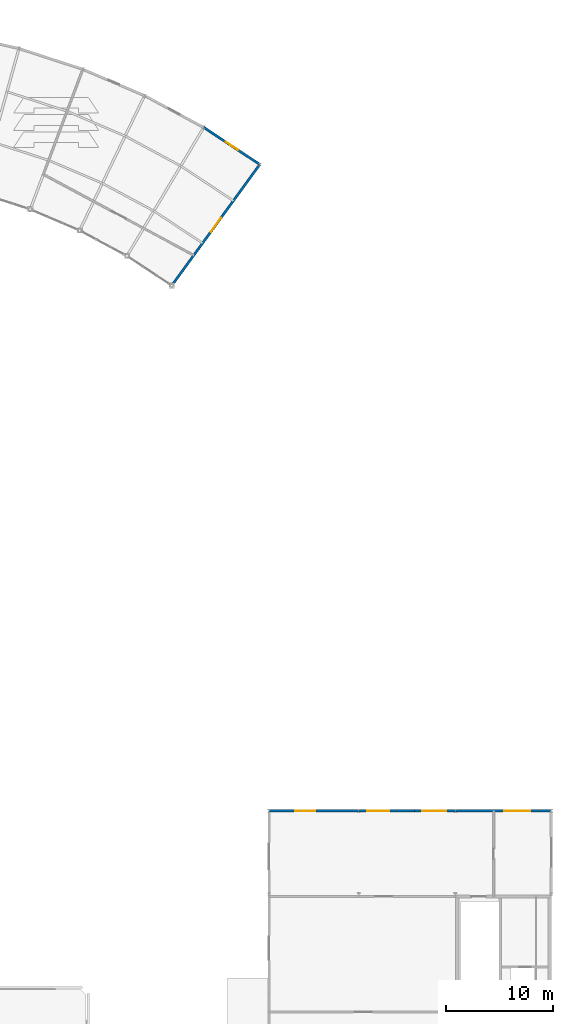
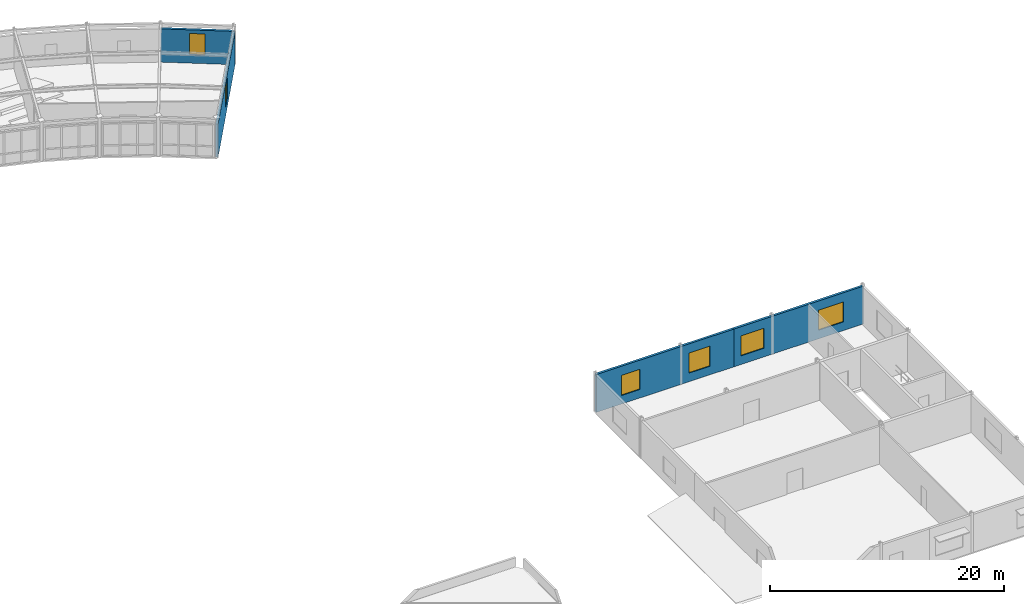
# One storey, part 43 of 54: 6 windows, 4 walls, 6 openings.
"""IFC4 building model written with IfcOpenShell, lengths in metres."""

from ifc_helpers import new_model, si_unit, direction, frame, frame_2d, origin, place, context, subcontext, project, spatial, rectangle, extrude, material, layer, layer_set, type_object, element, fill, save


model = new_model("IFC4")

# Units and contexts
model_context = context("Model", 3, precision=1e-05, world=origin(), true_north=direction((0.0, 1.0)))
body_context = subcontext(model_context, "Body", "Model", "MODEL_VIEW")
ifc_project = project(units=[si_unit("LENGTHUNIT", "METRE"), si_unit("AREAUNIT", "SQUARE_METRE"), si_unit("VOLUMEUNIT", "CUBIC_METRE"), si_unit("PLANEANGLEUNIT", "RADIAN"), si_unit("MASSUNIT", "GRAM", prefix="KILO")], contexts=[model_context])

# Site, building, storey
site_placement = place(None, origin())
site = spatial("IfcSite", under=ifc_project, at=site_placement, CompositionType="ELEMENT")
building_placement = place(site_placement, origin())
building = spatial("IfcBuilding", under=site, at=building_placement, Name="Selat Folded Stagehouse", CompositionType="ELEMENT")
storey_placement = place(building_placement, frame((0.0, 0.0, 15.0)))
storey = spatial("IfcBuildingStorey", under=building, at=storey_placement, Name="L03", CompositionType="ELEMENT", Elevation=15.0)

# Wall, openings, windows
ifc_material_1 = material(Name="Precast concrete C40/50", Category="concrete")
ifc_layer = layer(ifc_material_1, 0.22998046875)
ifc_layer_set = layer_set([ifc_layer], Name="Precast concrete C40/50")
wall_type = type_object("IfcWallType", Name="WAL-EXT-230", PredefinedType="STANDARD", material=ifc_layer_set)
wall_1_placement = place(storey_placement, frame((134.39990234375, 34.199951171875, 0.0), z_axis=(0.0, 0.0, 1.0), x_axis=(1.0, 0.0, 0.0)))
wall_1 = element("IfcWall", 1, at=wall_1_placement, inside=storey, type_object=wall_type, Name="L03 exterior facade wall EW-L03-V3N-1", PredefinedType="STANDARD", context=body_context, shape_type="SweptSolid", body=[
    extrude(rectangle(XDim=13.60009765625, YDim=0.22998046875, at=frame_2d((6.800048828125, 0.0))), origin(), (0.0, 0.0, 1.0), 3.951904296875),
])
opening_1_placement = place(wall_1_placement, frame((2.47509765625, 0.0, 0.89990234375)))
opening_1 = element("IfcOpeningElement", 2, at=opening_1_placement, cuts=wall_1, Name="Opening WN-20", PredefinedType="OPENING", context=body_context, shape_type="SweptSolid", body=[
    extrude(rectangle(XDim=1.85009765625, YDim=2.10009765625, at=frame_2d((0.925048828125, 1.050048828125))), frame((0.0, 0.125, 0.0), z_axis=(0.0, -1.0, 0.0), x_axis=(1.0, 0.0, 0.0)), (0.0, 0.0, 1.0), 0.25),
])
opening_2_placement = place(wall_1_placement, frame((9.175048828125, 0.0, 0.89990234375)))
opening_2 = element("IfcOpeningElement", 3, at=opening_2_placement, cuts=wall_1, Name="Opening WN-19", PredefinedType="OPENING", context=body_context, shape_type="SweptSolid", body=[
    extrude(rectangle(XDim=2.050048828125, YDim=2.10009765625, at=frame_2d((1.02490234375, 1.050048828125))), frame((0.0, 0.125, 0.0), z_axis=(0.0, -1.0, 0.0), x_axis=(1.0, 0.0, 0.0)), (0.0, 0.0, 1.0), 0.25),
])
ifc_material_2 = material(Name="Thermally broken aluminium and acoustic low-E glass", Category="aluminium")
window_type_1 = type_object("IfcWindowType", Name="WIN-RH-1850x2100", PartitioningType="SINGLE_PANEL", PredefinedType="WINDOW", material=ifc_material_2)
window_1_placement = place(opening_1_placement, origin())
window_1 = element("IfcWindow", 4, at=window_1_placement, inside=storey, type_object=window_type_1, Name="L03 exterior window EW-L03-V3N-1-1", OverallHeight=2.10009765625, OverallWidth=1.85009765625, PartitioningType="SINGLE_PANEL", PredefinedType="WINDOW", context=body_context, shape_type="SweptSolid", body=[
    extrude(rectangle(XDim=1.85009765625, YDim=2.10009765625, at=frame_2d((0.925048828125, 1.050048828125))), frame((0.0, 0.030029296875, 0.0), z_axis=(0.0, -1.0, 0.0), x_axis=(1.0, 0.0, 0.0)), (0.0, 0.0, 1.0), 0.06005859375),
])
fill(opening_1, window_1)
window_type_2 = type_object("IfcWindowType", Name="WIN-RH-2050x2100", PartitioningType="SINGLE_PANEL", PredefinedType="WINDOW", material=ifc_material_2)
window_2_placement = place(opening_2_placement, origin())
window_2 = element("IfcWindow", 5, at=window_2_placement, inside=storey, type_object=window_type_2, Name="L03 exterior window EW-L03-V3N-1-2", OverallHeight=2.10009765625, OverallWidth=2.050048828125, PartitioningType="SINGLE_PANEL", PredefinedType="WINDOW", context=body_context, shape_type="SweptSolid", body=[
    extrude(rectangle(XDim=2.050048828125, YDim=2.10009765625, at=frame_2d((1.02490234375, 1.050048828125))), frame((0.0, 0.030029296875, 0.0), z_axis=(0.0, -1.0, 0.0), x_axis=(1.0, 0.0, 0.0)), (0.0, 0.0, 1.0), 0.06005859375),
])
fill(opening_2, window_2)

wall_2_placement = place(storey_placement, frame((148.0, 34.199951171875, 0.0), z_axis=(0.0, 0.0, 1.0), x_axis=(1.0, 0.0, 0.0)))
wall_2 = element("IfcWall", 6, at=wall_2_placement, inside=storey, type_object=wall_type, Name="L03 exterior facade wall EW-L03-V3N-2", PredefinedType="STANDARD", context=body_context, shape_type="SweptSolid", body=[
    extrude(rectangle(XDim=12.800048828125, YDim=0.22998046875, at=frame_2d((6.39990234375, 0.0))), origin(), (0.0, 0.0, 1.0), 3.951904296875),
])
opening_3_placement = place(wall_2_placement, frame((0.72509765625, 0.0, 0.89990234375)))
opening_3 = element("IfcOpeningElement", 7, at=opening_3_placement, cuts=wall_2, Name="Opening WN-18", PredefinedType="OPENING", context=body_context, shape_type="SweptSolid", body=[
    extrude(rectangle(XDim=2.25, YDim=2.10009765625, at=frame_2d((1.125, 1.050048828125))), frame((0.0, 0.125, 0.0), z_axis=(0.0, -1.0, 0.0), x_axis=(1.0, 0.0, 0.0)), (0.0, 0.0, 1.0), 0.25),
])
opening_4_placement = place(wall_2_placement, frame((8.375, 0.0, 0.89990234375)))
opening_4 = element("IfcOpeningElement", 8, at=opening_4_placement, cuts=wall_2, Name="Opening WN-17", PredefinedType="OPENING", context=body_context, shape_type="SweptSolid", body=[
    extrude(rectangle(XDim=2.449951171875, YDim=2.10009765625, at=frame_2d((1.22509765625, 1.050048828125))), frame((0.0, 0.125, 0.0), z_axis=(0.0, -1.0, 0.0), x_axis=(1.0, 0.0, 0.0)), (0.0, 0.0, 1.0), 0.25),
])
window_type_3 = type_object("IfcWindowType", Name="WIN-RH-2250x2100", PartitioningType="SINGLE_PANEL", PredefinedType="WINDOW", material=ifc_material_2)
window_3_placement = place(opening_3_placement, origin())
window_3 = element("IfcWindow", 9, at=window_3_placement, inside=storey, type_object=window_type_3, Name="L03 exterior window EW-L03-V3N-2-1", OverallHeight=2.10009765625, OverallWidth=2.25, PartitioningType="SINGLE_PANEL", PredefinedType="WINDOW", context=body_context, shape_type="SweptSolid", body=[
    extrude(rectangle(XDim=2.25, YDim=2.10009765625, at=frame_2d((1.125, 1.050048828125))), frame((0.0, 0.030029296875, 0.0), z_axis=(0.0, -1.0, 0.0), x_axis=(1.0, 0.0, 0.0)), (0.0, 0.0, 1.0), 0.06005859375),
])
fill(opening_3, window_3)
window_type_4 = type_object("IfcWindowType", Name="WIN-RH-2450x2100", PartitioningType="SINGLE_PANEL", PredefinedType="WINDOW", material=ifc_material_2)
window_4_placement = place(opening_4_placement, origin())
window_4 = element("IfcWindow", 10, at=window_4_placement, inside=storey, type_object=window_type_4, Name="L03 exterior window EW-L03-V3N-2-2", OverallHeight=2.10009765625, OverallWidth=2.449951171875, PartitioningType="SINGLE_PANEL", PredefinedType="WINDOW", context=body_context, shape_type="SweptSolid", body=[
    extrude(rectangle(XDim=2.449951171875, YDim=2.10009765625, at=frame_2d((1.22509765625, 1.050048828125))), frame((0.0, 0.030029296875, 0.0), z_axis=(0.0, -1.0, 0.0), x_axis=(1.0, 0.0, 0.0)), (0.0, 0.0, 1.0), 0.06005859375),
])
fill(opening_4, window_4)

# Wall, opening, window
wall_3_placement = place(storey_placement, frame((128.302978515625, 98.09130859375, 0.0), z_axis=(0.0, 0.0, 1.0), x_axis=(0.834571163011, -0.550900148729, 0.0)))
wall_3 = element("IfcWall", 11, at=wall_3_placement, inside=storey, type_object=wall_type, Name="L03 exterior facade wall EW-L03-V6OUT-13", PredefinedType="STANDARD", context=body_context, shape_type="SweptSolid", body=[
    extrude(rectangle(XDim=6.281005859375, YDim=0.22998046875, at=frame_2d((3.140625, 0.0))), origin(), (0.0, 0.0, 1.0), 3.47705078125),
])
opening_5_placement = place(wall_3_placement, frame((2.465576171875, 0.0, 0.89990234375)))
opening_5 = element("IfcOpeningElement", 12, at=opening_5_placement, cuts=wall_3, Name="Opening WN-41", PredefinedType="OPENING", context=body_context, shape_type="SweptSolid", body=[
    extrude(rectangle(XDim=1.35009765625, YDim=2.199951171875, at=frame_2d((0.675048828125, 1.10009765625))), frame((0.0, 0.125, 0.0), z_axis=(0.0, -1.0, 0.0), x_axis=(1.0, 0.0, 0.0)), (0.0, 0.0, 1.0), 0.25),
])
window_type_5 = type_object("IfcWindowType", Name="WIN-ST-1350x2200", PartitioningType="SINGLE_PANEL", PredefinedType="WINDOW", material=ifc_material_2)
window_5_placement = place(opening_5_placement, origin())
window_5 = element("IfcWindow", 13, at=window_5_placement, inside=storey, type_object=window_type_5, Name="L03 exterior window EW-L03-V6OUT-13-1", OverallHeight=2.199951171875, OverallWidth=1.35009765625, PartitioningType="SINGLE_PANEL", PredefinedType="WINDOW", context=body_context, shape_type="SweptSolid", body=[
    extrude(rectangle(XDim=1.35009765625, YDim=2.199951171875, at=frame_2d((0.675048828125, 1.10009765625))), frame((0.0, 0.030029296875, 0.0), z_axis=(0.0, -1.0, 0.0), x_axis=(1.0, 0.0, 0.0)), (0.0, 0.0, 1.0), 0.06005859375),
])
fill(opening_5, window_5)

wall_4_placement = place(storey_placement, frame((133.544921875, 94.631103515625, 0.0), z_axis=(0.0, 0.0, 1.0), x_axis=(-0.587787980643, -0.809015012105, 0.0)))
wall_4 = element("IfcWall", 14, at=wall_4_placement, inside=storey, type_object=wall_type, Name="L03 exterior facade wall EW-L03-V6E", PredefinedType="STANDARD", context=body_context, shape_type="SweptSolid", body=[
    extrude(rectangle(XDim=14.0, YDim=0.22998046875, at=frame_2d((7.0, 0.0))), origin(), (0.0, 0.0, 1.0), 3.47705078125),
])
opening_6_placement = place(wall_4_placement, frame((6.199951171875, 0.0, 0.89990234375)))
opening_6 = element("IfcOpeningElement", 15, at=opening_6_placement, cuts=wall_4, Name="Opening WN-40", PredefinedType="OPENING", context=body_context, shape_type="SweptSolid", body=[
    extrude(rectangle(XDim=1.60009765625, YDim=2.199951171875, at=frame_2d((0.800048828125, 1.10009765625))), frame((0.0, 0.125, 0.0), z_axis=(0.0, -1.0, 0.0), x_axis=(1.0, 0.0, 0.0)), (0.0, 0.0, 1.0), 0.25),
])
window_type_6 = type_object("IfcWindowType", Name="WIN-ST-1600x2200", PartitioningType="SINGLE_PANEL", PredefinedType="WINDOW", material=ifc_material_2)
window_6_placement = place(opening_6_placement, origin())
window_6 = element("IfcWindow", 16, at=window_6_placement, inside=storey, type_object=window_type_6, Name="L03 exterior window EW-L03-V6E-1", OverallHeight=2.199951171875, OverallWidth=1.60009765625, PartitioningType="SINGLE_PANEL", PredefinedType="WINDOW", context=body_context, shape_type="SweptSolid", body=[
    extrude(rectangle(XDim=1.60009765625, YDim=2.199951171875, at=frame_2d((0.800048828125, 1.10009765625))), frame((0.0, 0.030029296875, 0.0), z_axis=(0.0, -1.0, 0.0), x_axis=(1.0, 0.0, 0.0)), (0.0, 0.0, 1.0), 0.06005859375),
])
fill(opening_6, window_6)

save(model, "model.ifc")
